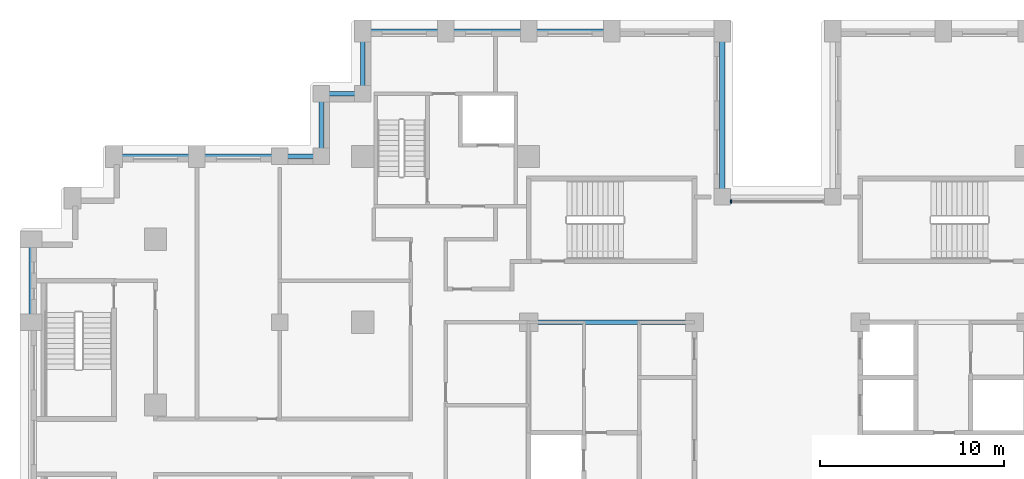
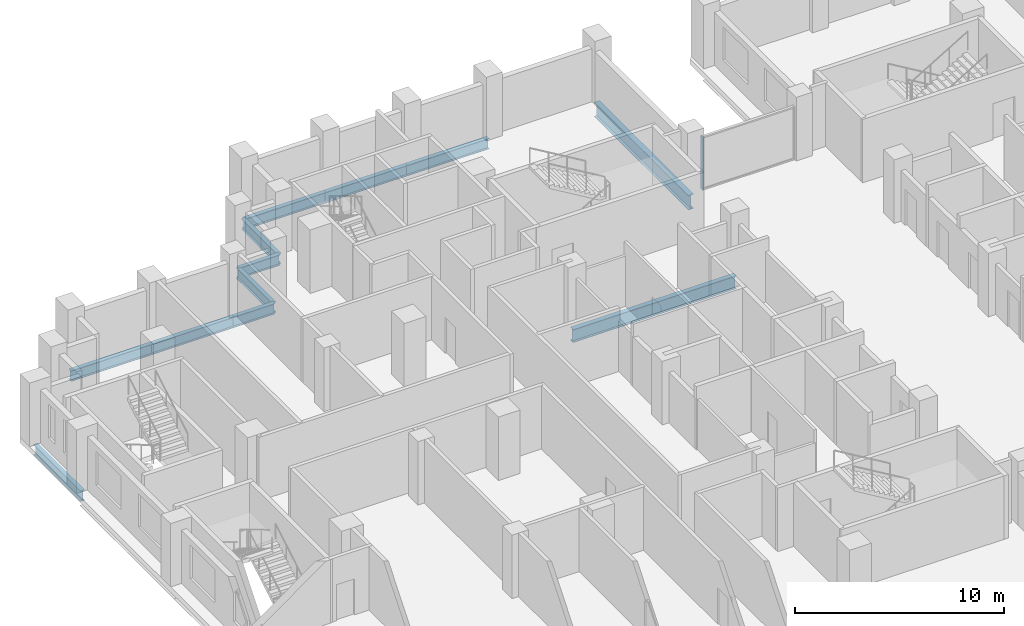
# One storey, part 3 of 15: 12 beams, 1 member, 1 element without a shape of its own.
"""IFC4 building model written with IfcOpenShell, lengths in metres."""

from ifc_helpers import new_model, si_unit, direction, frame, origin, origin_2d, place, context, subcontext, project, spatial, rectangle, i_section, extrude, material, layer, layer_set, material_profile, profile_set, type_object, element, aggregate, save


model = new_model("IFC4")

# Units and contexts
model_context = context("Model", 3, precision=1e-05, world=origin(), true_north=direction((0.0, 1.0)))
body_context = subcontext(model_context, "Body", "Model", "MODEL_VIEW")
ifc_project = project(units=[si_unit("LENGTHUNIT", "METRE"), si_unit("AREAUNIT", "SQUARE_METRE"), si_unit("VOLUMEUNIT", "CUBIC_METRE"), si_unit("PLANEANGLEUNIT", "RADIAN"), si_unit("MASSUNIT", "GRAM", prefix="KILO")], contexts=[model_context])

# Site, building, storey
site_placement = place(None, origin())
site = spatial("IfcSite", under=ifc_project, at=site_placement, CompositionType="ELEMENT")
building_placement = place(site_placement, origin())
building = spatial("IfcBuilding", under=site, at=building_placement, Name="Corbelhall Arena Tower", CompositionType="ELEMENT")
storey_placement = place(building_placement, frame((0.0, 0.0, 92.0)))
storey = spatial("IfcBuildingStorey", under=building, at=storey_placement, Name="L15", CompositionType="ELEMENT", Elevation=92.0)

# Curtain wall, member
ifc_material_1 = material(Name="Aluminium black anodised", Category="aluminium")
ifc_layer = layer(ifc_material_1, 0.199951171875)
ifc_layer_set = layer_set([ifc_layer], Name="EV-CW1 Slot back wall")
curtain_wall_type = type_object("IfcCurtainWallType", Name="EV-CW1 Slot back wall", PredefinedType="NOTDEFINED", material=ifc_layer_set)
curtain_wall_placement = place(storey_placement, origin())
curtain_wall = element("IfcCurtainWall", 1, at=curtain_wall_placement, inside=storey, type_object=curtain_wall_type, Name="Curtain wall CW1", PredefinedType="NOTDEFINED")
ifc_material_profile_1 = material_profile(ifc_material_1, rectangle(XDim=0.199951171875, YDim=0.074951171875, at=origin_2d()))
ifc_profile_set_1 = profile_set([ifc_material_profile_1], Name="Aluminium black anodised")
member_type = type_object("IfcMemberType", Name="EV-CW1-MULLION", PredefinedType="MULLION", material=ifc_profile_set_1)
member_placement = place(storey_placement, frame((-2.512451171875, 15.550048828125, 0.0), z_axis=(0.0, 0.0, 1.0), x_axis=(0.0, -1.0, 0.0)))
member = element("IfcMember", 2, at=member_placement, type_object=member_type, Name="CW1 mullion 2", PredefinedType="MULLION", context=body_context, shape_type="SweptSolid", body=[
    extrude(rectangle(XDim=0.199951171875, YDim=0.074951171875, at=origin_2d()), origin(), (0.0, 0.0, 1.0), 3.10009765625),
])
aggregate(curtain_wall, [member])

# Beams
ifc_material_2 = material(Name="Steel ASTM A992 Gr50", Category="steel")
ifc_material_profile_2 = material_profile(ifc_material_2, i_section(OverallWidth=0.2666015625, OverallDepth=0.761962890625, WebThickness=0.014404296875, FlangeThickness=0.021484375, at=origin_2d()))
ifc_profile_set_2 = profile_set([ifc_material_profile_2], Name="Steel ASTM A992 Gr50")
beam_type_1 = type_object("IfcBeamType", Name="ST-BEAM-W30x116", PredefinedType="BEAM", material=ifc_profile_set_2)
beam_1_placement = place(storey_placement, frame((-13.5, 9.0, -0.680908203125), z_axis=(1.0, 0.0, 0.0), x_axis=(0.0, 1.0, 0.0)))
element("IfcBeam", 3, at=beam_1_placement, inside=storey, type_object=beam_type_1, Name="Beam CEW 6", PredefinedType="BEAM", context=body_context, shape_type="SweptSolid", body=[
    extrude(i_section(OverallWidth=0.2666015625, OverallDepth=0.761962890625, WebThickness=0.014404296875, FlangeThickness=0.021484375, at=origin_2d()), origin(), (0.0, 0.0, 1.0), 9.0),
])
ifc_material_profile_3 = material_profile(ifc_material_2, i_section(OverallWidth=0.23046875, OverallDepth=0.6171875, WebThickness=0.01318359375, FlangeThickness=0.022216796875, at=origin_2d()))
ifc_profile_set_3 = profile_set([ifc_material_profile_3], Name="Steel ASTM A992 Gr50")
beam_type_2 = type_object("IfcBeamType", Name="ST-SPANDREL-W24x94", PredefinedType="SPANDREL", material=ifc_profile_set_3)
for number, where, z_axis, x_axis, name in (
    (4, (-40.5, 9.0, -0.608642578125), (0.0, 1.0, 0.0), (-1.0, 0.0, 0.0), "Beam SP 2"),
    (5, (-31.5, 18.0, -0.608642578125), (1.0, 0.0, 0.0), (0.0, 1.0, 0.0), "Beam SP 5"),
    (6, (-36.0, 18.0, -0.608642578125), (1.0, 0.0, 0.0), (0.0, 1.0, 0.0), "Beam SP 6"),
    (7, (-13.5, 24.800048828125, -0.608642578125), (1.0, 0.0, 0.0), (0.0, 1.0, 0.0), "Beam SP 24"),
    (8, (-18.0, 24.800048828125, -0.608642578125), (1.0, 0.0, 0.0), (0.0, 1.0, 0.0), "Beam SP 25"),
    (9, (-22.5, 24.800048828125, -0.608642578125), (1.0, 0.0, 0.0), (0.0, 1.0, 0.0), "Beam SP 26"),
):
    element("IfcBeam", number, at=place(storey_placement, frame(where, z_axis=z_axis, x_axis=x_axis)), inside=storey, type_object=beam_type_2, Name=name, PredefinedType="SPANDREL", context=body_context, shape_type="SweptSolid", body=[
        extrude(i_section(OverallWidth=0.23046875, OverallDepth=0.6171875, WebThickness=0.01318359375, FlangeThickness=0.022216796875, at=origin_2d()), origin(), (0.0, 0.0, 1.0), 4.5),
    ])
beam_2_placement = place(storey_placement, frame((-27.0, 18.0, -0.608642578125), z_axis=(1.0, 0.0, 0.0), x_axis=(0.0, 1.0, 0.0)))
element("IfcBeam", 10, at=beam_2_placement, inside=storey, type_object=beam_type_2, Name="Beam SP 37", PredefinedType="SPANDREL", context=body_context, shape_type="SweptSolid", body=[
    extrude(i_section(OverallWidth=0.23046875, OverallDepth=0.6171875, WebThickness=0.01318359375, FlangeThickness=0.022216796875, at=origin_2d()), origin(), (0.0, 0.0, 1.0), 2.25),
])
beam_3_placement = place(storey_placement, frame((-22.5, 21.39990234375, -0.608642578125), z_axis=(0.0, 1.0, 0.0), x_axis=(-1.0, 0.0, 0.0)))
element("IfcBeam", 11, at=beam_3_placement, inside=storey, type_object=beam_type_2, Name="Beam SP 46", PredefinedType="SPANDREL", context=body_context, shape_type="SweptSolid", body=[
    extrude(i_section(OverallWidth=0.23046875, OverallDepth=0.6171875, WebThickness=0.01318359375, FlangeThickness=0.022216796875, at=origin_2d()), origin(), (0.0, 0.0, 1.0), 3.400146484375),
])
beam_4_placement = place(storey_placement, frame((-24.75, 21.39990234375, -0.608642578125), z_axis=(1.0, 0.0, 0.0), x_axis=(0.0, 1.0, 0.0)))
element("IfcBeam", 12, at=beam_4_placement, inside=storey, type_object=beam_type_2, Name="Beam SP 47", PredefinedType="SPANDREL", context=body_context, shape_type="SweptSolid", body=[
    extrude(i_section(OverallWidth=0.23046875, OverallDepth=0.6171875, WebThickness=0.01318359375, FlangeThickness=0.022216796875, at=origin_2d()), origin(), (0.0, 0.0, 1.0), 2.25),
])
beam_5_placement = place(storey_placement, frame((-24.75, 18.0, -0.608642578125), z_axis=(0.0, 1.0, 0.0), x_axis=(-1.0, 0.0, 0.0)))
element("IfcBeam", 13, at=beam_5_placement, inside=storey, type_object=beam_type_2, Name="Beam SP 48", PredefinedType="SPANDREL", context=body_context, shape_type="SweptSolid", body=[
    extrude(i_section(OverallWidth=0.23046875, OverallDepth=0.6171875, WebThickness=0.01318359375, FlangeThickness=0.022216796875, at=origin_2d()), origin(), (0.0, 0.0, 1.0), 3.39990234375),
])
ifc_material_profile_4 = material_profile(ifc_material_2, i_section(OverallWidth=0.2919921875, OverallDepth=0.845703125, WebThickness=0.015380859375, FlangeThickness=0.0244140625, at=origin_2d()))
ifc_profile_set_4 = profile_set([ifc_material_profile_4], Name="Steel ASTM A992 Gr50")
beam_type_3 = type_object("IfcBeamType", Name="ST-SPANDREL-W33x141", PredefinedType="SPANDREL", material=ifc_profile_set_4)
beam_6_placement = place(storey_placement, frame((-3.0, 24.800048828125, -0.722900390625), z_axis=(0.0, -1.0, 0.0), x_axis=(1.0, 0.0, 0.0)))
element("IfcBeam", 14, at=beam_6_placement, inside=storey, type_object=beam_type_3, Name="Beam SP 22", PredefinedType="SPANDREL", context=body_context, shape_type="SweptSolid", body=[
    extrude(i_section(OverallWidth=0.2919921875, OverallDepth=0.845703125, WebThickness=0.015380859375, FlangeThickness=0.0244140625, at=origin_2d()), origin(), (0.0, 0.0, 1.0), 9.0),
])

save(model, "model.ifc")
